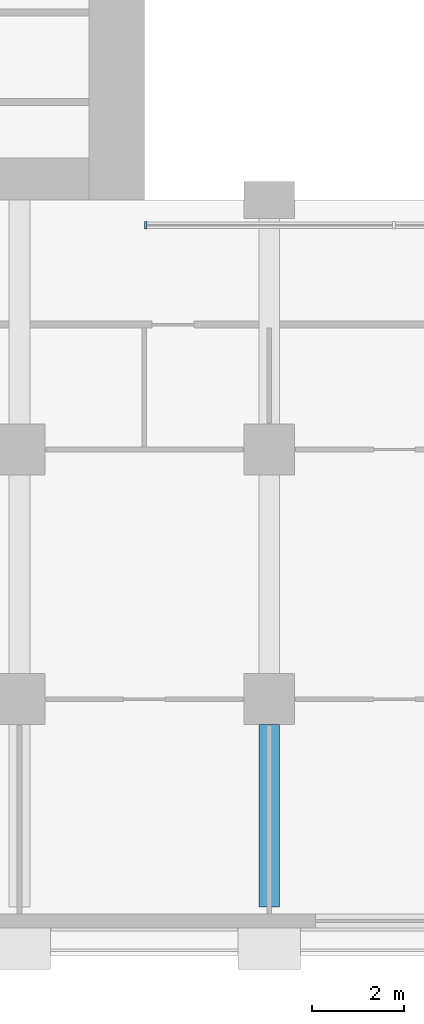
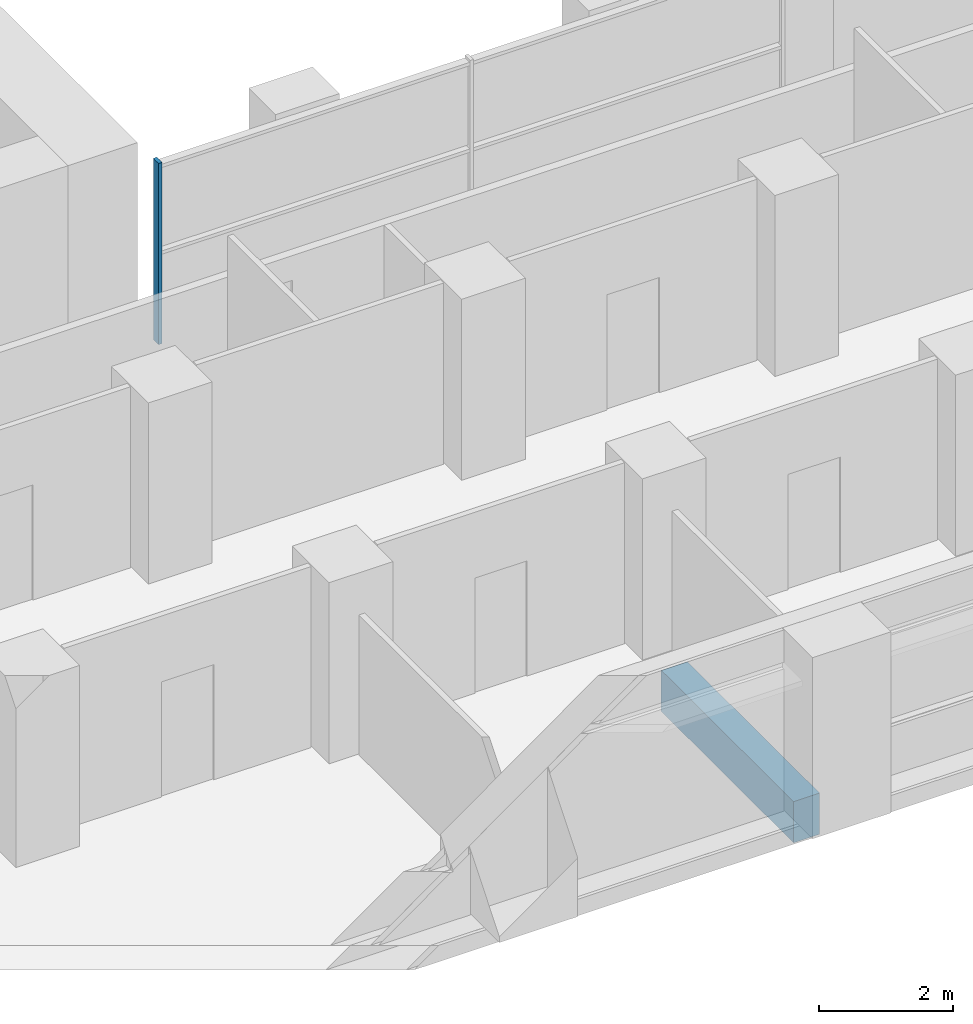
# One storey, part 2 of 13: 1 beam, 1 member, 1 element without a shape of its own.
"""IFC4 building model written with IfcOpenShell, lengths in metres."""

from ifc_helpers import new_model, si_unit, direction, frame, origin, origin_2d, place, context, subcontext, project, spatial, rectangle, extrude, material, material_profile, profile_set, type_object, element, aggregate, save


model = new_model("IFC4")

# Units and contexts
model_context = context("Model", 3, precision=1e-05, world=origin(), true_north=direction((0.0, 1.0)))
body_context = subcontext(model_context, "Body", "Model", "MODEL_VIEW")
ifc_project = project(units=[si_unit("LENGTHUNIT", "METRE"), si_unit("AREAUNIT", "SQUARE_METRE"), si_unit("VOLUMEUNIT", "CUBIC_METRE"), si_unit("PLANEANGLEUNIT", "RADIAN"), si_unit("MASSUNIT", "GRAM", prefix="KILO")], contexts=[model_context])

# Site, building, storey
site_placement = place(None, origin())
site = spatial("IfcSite", under=ifc_project, at=site_placement, CompositionType="ELEMENT")
building_placement = place(site_placement, origin())
building = spatial("IfcBuilding", under=site, at=building_placement, Name="Tabaq Tower and Sports Hall", CompositionType="ELEMENT")
storey_placement = place(building_placement, frame((0.0, 0.0, 56.39990234375)))
storey = spatial("IfcBuildingStorey", under=building, at=storey_placement, Name="L12", CompositionType="ELEMENT", Elevation=56.39990234375)

# Curtain wall, member
ifc_material_1 = material(Name="Aluminium alloy 6063-T6 framed glazing", Category="aluminium")
curtain_wall_type = type_object("IfcCurtainWallType", Name="CW1 curtain wall", PredefinedType="USERDEFINED", material=ifc_material_1)
curtain_wall_placement = place(storey_placement, origin())
curtain_wall = element("IfcCurtainWall", 1, at=curtain_wall_placement, inside=storey, type_object=curtain_wall_type, Name="Atrium glazing L12 S", ObjectType="ATRIUM ENCLOSURE", PredefinedType="USERDEFINED")
ifc_material_2 = material(Name="Aluminium alloy 6063-T6", Category="aluminium")
ifc_material_profile_1 = material_profile(ifc_material_2, rectangle(XDim=0.159912109375, YDim=0.06005859375, at=origin_2d()), Name="MULLION 160x60")
ifc_profile_set_1 = profile_set([ifc_material_profile_1], Name="Aluminium alloy 6063-T6")
member_type = type_object("IfcMemberType", Name="CW1 mullion 160x60", PredefinedType="MULLION", material=ifc_profile_set_1)
member_placement = place(storey_placement, frame((18.929931640625, 15.64990234375, 0.0), z_axis=(0.0, 0.0, 1.0), x_axis=(0.0, 1.0, 0.0)))
member = element("IfcMember", 2, at=member_placement, type_object=member_type, Name="CW1 mullion 1", PredefinedType="MULLION", context=body_context, shape_type="SweptSolid", body=[
    extrude(rectangle(XDim=0.159912109375, YDim=0.06005859375, at=origin_2d()), origin(), (0.0, 0.0, 1.0), 3.300048828125),
])
aggregate(curtain_wall, [member])

# Beam
ifc_material_3 = material(Name="Concrete C40/50", Category="concrete")
ifc_material_profile_2 = material_profile(ifc_material_3, rectangle(XDim=0.449951171875, YDim=0.75, at=origin_2d()), Name="CB 450x750")
ifc_profile_set_2 = profile_set([ifc_material_profile_2], Name="Concrete C40/50")
beam_type = type_object("IfcBeamType", Name="PT CANTILEVER BEAM CB 450x750 C40/50", PredefinedType="BEAM", material=ifc_profile_set_2)
beam_placement = place(storey_placement, frame((21.60009765625, 0.89990234375, -0.6748046875), z_axis=(0.0, 1.0, 0.0), x_axis=(-1.0, 0.0, 0.0)))
element("IfcBeam", 3, at=beam_placement, inside=storey, type_object=beam_type, Name="Cantilever Beam L12 S4 span 1", PredefinedType="BEAM", context=body_context, shape_type="SweptSolid", body=[
    extrude(rectangle(XDim=0.449951171875, YDim=0.75, at=origin_2d()), origin(), (0.0, 0.0, 1.0), 3.9501953125),
])

save(model, "model.ifc")
